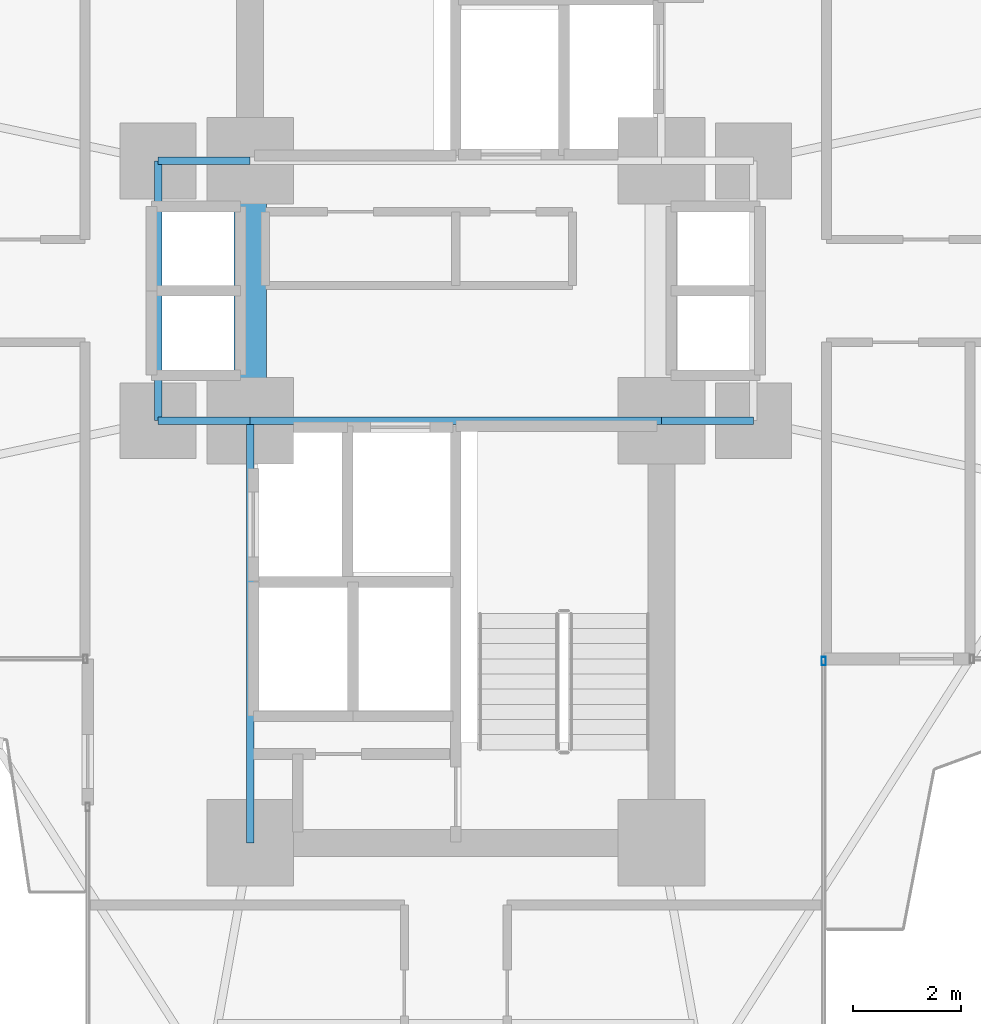
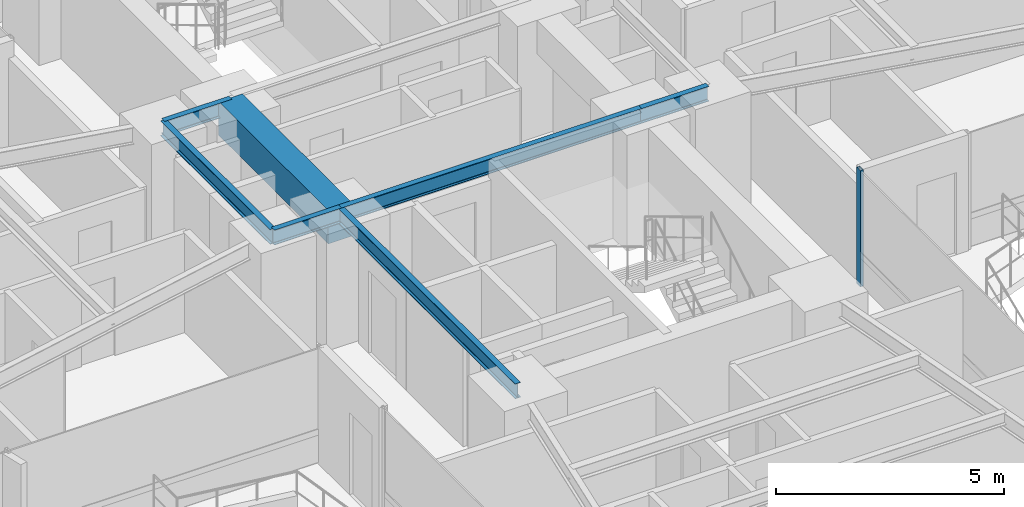
# One storey, part 11 of 26: 7 beams, 1 member, 1 element without a shape of its own.
"""IFC4 building model written with IfcOpenShell, lengths in metres."""

from ifc_helpers import new_model, si_unit, direction, frame, origin, origin_2d, place, context, subcontext, project, spatial, rectangle, hollow_rectangle, i_section, extrude, source, transform, mapped, material, material_profile, profile_set, type_object, element, aggregate, save


model = new_model("IFC4")

# Units and contexts
model_context = context("Model", 3, precision=1e-05, world=origin(), true_north=direction((0.0, 1.0)))
body_context = subcontext(model_context, "Body", "Model", "MODEL_VIEW")
ifc_project = project(units=[si_unit("LENGTHUNIT", "METRE"), si_unit("AREAUNIT", "SQUARE_METRE"), si_unit("VOLUMEUNIT", "CUBIC_METRE"), si_unit("PLANEANGLEUNIT", "RADIAN"), si_unit("MASSUNIT", "GRAM", prefix="KILO")], contexts=[model_context])

# Site, building, storey
site_placement = place(None, origin())
site = spatial("IfcSite", under=ifc_project, at=site_placement, CompositionType="ELEMENT")
building_placement = place(site_placement, origin())
building = spatial("IfcBuilding", under=site, at=building_placement, Name="Sahyath Konkavel Grand Hotel", CompositionType="ELEMENT")
storey_placement = place(building_placement, frame((0.0, 0.0, 26.449951171875)))
storey = spatial("IfcBuildingStorey", under=building, at=storey_placement, Name="L06", CompositionType="ELEMENT", Elevation=26.449951171875)

# Beams
ifc_material_1 = material(Name="Concrete C70/85", Category="concrete")
ifc_material_profile_1 = material_profile(ifc_material_1, rectangle(XDim=0.60009765625, YDim=0.89990234375, at=origin_2d()), Name="RC 600x900")
ifc_profile_set_1 = profile_set([ifc_material_profile_1], Name="Concrete C70/85")
beam_type_1 = type_object("IfcBeamType", Name="BM-CB600x900", PredefinedType="LINTEL", material=ifc_profile_set_1)
shared_shape_1 = source(origin(), body_context, "Body", "SweptSolid", [
    extrude(rectangle(XDim=0.60009765625, YDim=0.89990234375, at=origin_2d()), origin(), (0.0, 0.0, 1.0), 4.7998046875),
])
beam_1_placement = place(storey_placement, frame((-3.800048828125, -2.39990234375, 2.66015625), z_axis=(0.0, 1.0, 0.0), x_axis=(-1.0, 0.0, 0.0)))
element("IfcBeam", 1, at=beam_1_placement, inside=storey, type_object=beam_type_1, Name="L06 Split-Core Coupling Beam West", PredefinedType="LINTEL", context=body_context, shape_type="MappedRepresentation", body=[
    mapped(shared_shape_1, transform((0.0, 0.0, 0.0), scale=1.0)),
])
ifc_material_2 = material(Name="Steel E350", Category="steel")
ifc_material_profile_2 = material_profile(ifc_material_2, i_section(OverallWidth=0.139892578125, OverallDepth=0.39990234375, WebThickness=0.0087890625, FlangeThickness=0.01611328125, FilletRadius=0.013916015625, at=origin_2d()), Name="ISMB 400")
ifc_profile_set_2 = profile_set([ifc_material_profile_2], Name="Steel E350")
beam_type_2 = type_object("IfcBeamType", Name="BM-ISMB400", PredefinedType="BEAM", material=ifc_profile_set_2)
shared_shape_2 = source(origin(), body_context, "Body", "SweptSolid", [
    extrude(i_section(OverallWidth=0.139892578125, OverallDepth=0.39990234375, WebThickness=0.0087890625, FlangeThickness=0.01611328125, FilletRadius=0.013916015625, at=origin_2d()), origin(), (0.0, 0.0, 1.0), 7.60009765625),
])
beam_2_placement = place(storey_placement, frame((-3.800048828125, -2.39990234375, 2.91015625), z_axis=(1.0, 0.0, 0.0), x_axis=(0.0, 1.0, 0.0)))
element("IfcBeam", 2, at=beam_2_placement, inside=storey, type_object=beam_type_2, Name="str:bm:L06:SC-N", PredefinedType="BEAM", context=body_context, shape_type="MappedRepresentation", body=[
    mapped(shared_shape_2, transform((0.0, 0.0, 0.0), scale=1.0)),
])
shared_shape_3 = source(origin(), body_context, "Body", "SweptSolid", [
    extrude(i_section(OverallWidth=0.139892578125, OverallDepth=0.39990234375, WebThickness=0.0087890625, FlangeThickness=0.01611328125, FilletRadius=0.013916015625, at=origin_2d()), origin(), (0.0, 0.0, 1.0), 7.800048828125),
])
beam_3_placement = place(storey_placement, frame((-3.800048828125, -10.199951171875, 2.91015625), z_axis=(0.0, 1.0, 0.0), x_axis=(-1.0, 0.0, 0.0)))
element("IfcBeam", 3, at=beam_3_placement, inside=storey, type_object=beam_type_2, Name="str:bm:L06:SC-W", PredefinedType="BEAM", context=body_context, shape_type="MappedRepresentation", body=[
    mapped(shared_shape_3, transform((0.0, 0.0, 0.0), scale=1.0)),
])
shared_shape_4 = source(origin(), body_context, "Body", "SweptSolid", [
    extrude(i_section(OverallWidth=0.139892578125, OverallDepth=0.39990234375, WebThickness=0.0087890625, FlangeThickness=0.01611328125, FilletRadius=0.013916015625, at=origin_2d()), origin(), (0.0, 0.0, 1.0), 1.699951171875),
])
for number, where, z_axis, x_axis, name in (
    (4, (-5.5, 2.39990234375, 2.91015625), (1.0, 0.0, 0.0), (0.0, 1.0, 0.0), "str:bm:L06:HB-NW"),
    (5, (-5.5, -2.39990234375, 2.91015625), (1.0, 0.0, 0.0), (0.0, 1.0, 0.0), "str:bm:L06:HB-SW"),
    (6, (3.800048828125, -2.39990234375, 2.91015625), (1.0, 0.0, 0.0), (0.0, 1.0, 0.0), "str:bm:L06:HB-SE"),
):
    element("IfcBeam", number, at=place(storey_placement, frame(where, z_axis=z_axis, x_axis=x_axis)), inside=storey, type_object=beam_type_2, Name=name, PredefinedType="BEAM", context=body_context, shape_type="MappedRepresentation", body=[
        mapped(shared_shape_4, transform((0.0, 0.0, 0.0), scale=1.0)),
    ])
shared_shape_5 = source(origin(), body_context, "Body", "SweptSolid", [
    extrude(i_section(OverallWidth=0.139892578125, OverallDepth=0.39990234375, WebThickness=0.0087890625, FlangeThickness=0.01611328125, FilletRadius=0.013916015625, at=origin_2d()), origin(), (0.0, 0.0, 1.0), 4.7998046875),
])
beam_4_placement = place(storey_placement, frame((-5.5, -2.39990234375, 2.91015625), z_axis=(0.0, 1.0, 0.0), x_axis=(-1.0, 0.0, 0.0)))
element("IfcBeam", 7, at=beam_4_placement, inside=storey, type_object=beam_type_2, Name="str:bm:L06:HB-W", PredefinedType="BEAM", context=body_context, shape_type="MappedRepresentation", body=[
    mapped(shared_shape_5, transform((0.0, 0.0, 0.0), scale=1.0)),
])

# Curtain wall, member
ifc_material_3 = material(Name="Anodised Bronze Aluminium & Low-E Glazing", Category="aluminium")
curtain_wall_type = type_object("IfcCurtainWallType", Name="CW-ZONE1", PredefinedType="NOTDEFINED", material=ifc_material_3)
curtain_wall_placement = place(storey_placement, origin())
curtain_wall = element("IfcCurtainWall", 8, at=curtain_wall_placement, inside=storey, type_object=curtain_wall_type, Name="L06 Unitised Curtain Wall F31", PredefinedType="NOTDEFINED")
ifc_material_4 = material(Name="Anodised Bronze Aluminium", Category="aluminium")
ifc_material_profile_3 = material_profile(ifc_material_4, hollow_rectangle(XDim=0.080078125, YDim=0.159912109375, WallThickness=0.006103515625, at=origin_2d()), Name="RHS 160x80x6")
ifc_profile_set_3 = profile_set([ifc_material_profile_3], Name="Anodised Bronze Aluminium")
member_type = type_object("IfcMemberType", Name="CW-MUL-160", PredefinedType="MULLION", material=ifc_profile_set_3)
shared_shape_6 = source(origin(), body_context, "Body", "SweptSolid", [
    extrude(hollow_rectangle(XDim=0.080078125, YDim=0.159912109375, WallThickness=0.006103515625, at=origin_2d()), origin(), (0.0, 0.0, 1.0), 3.110107421875),
])
member_placement = place(storey_placement, frame((6.800048828125, -6.840087890625, 0.0), z_axis=(0.0, 0.0, 1.0), x_axis=(1.0, 0.0, 0.0)))
member = element("IfcMember", 9, at=member_placement, type_object=member_type, Name="L06 Curtain Wall Mullion F31-2", PredefinedType="MULLION", context=body_context, shape_type="MappedRepresentation", body=[
    mapped(shared_shape_6, transform((0.0, 0.0, 0.0), scale=1.0)),
])
aggregate(curtain_wall, [member])

save(model, "model.ifc")
